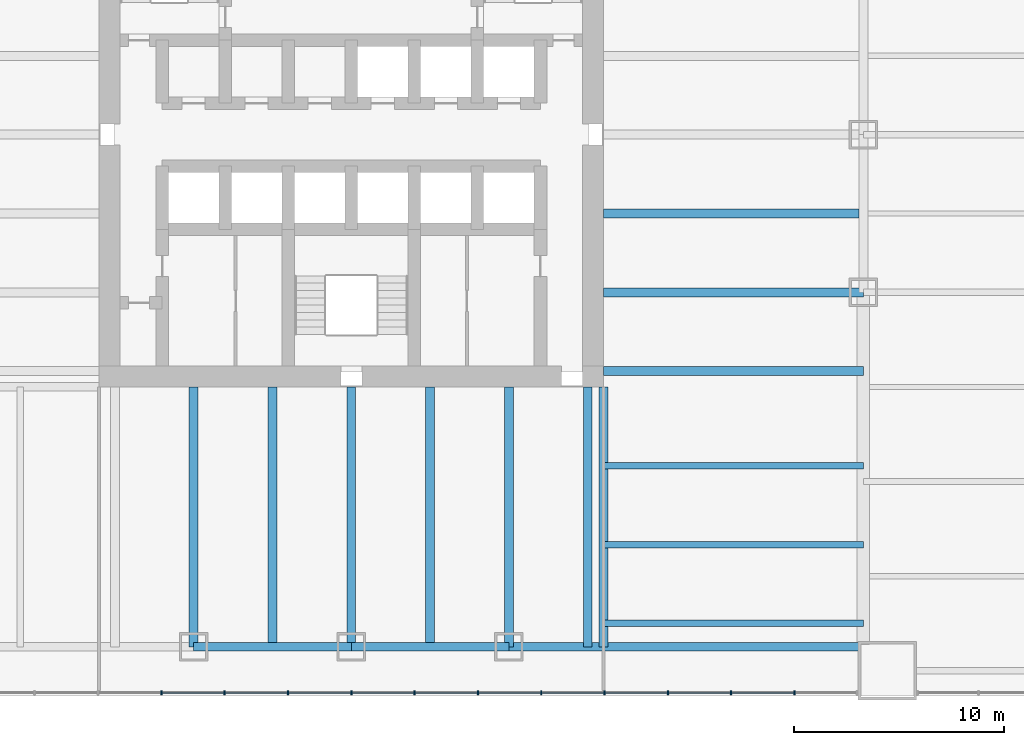
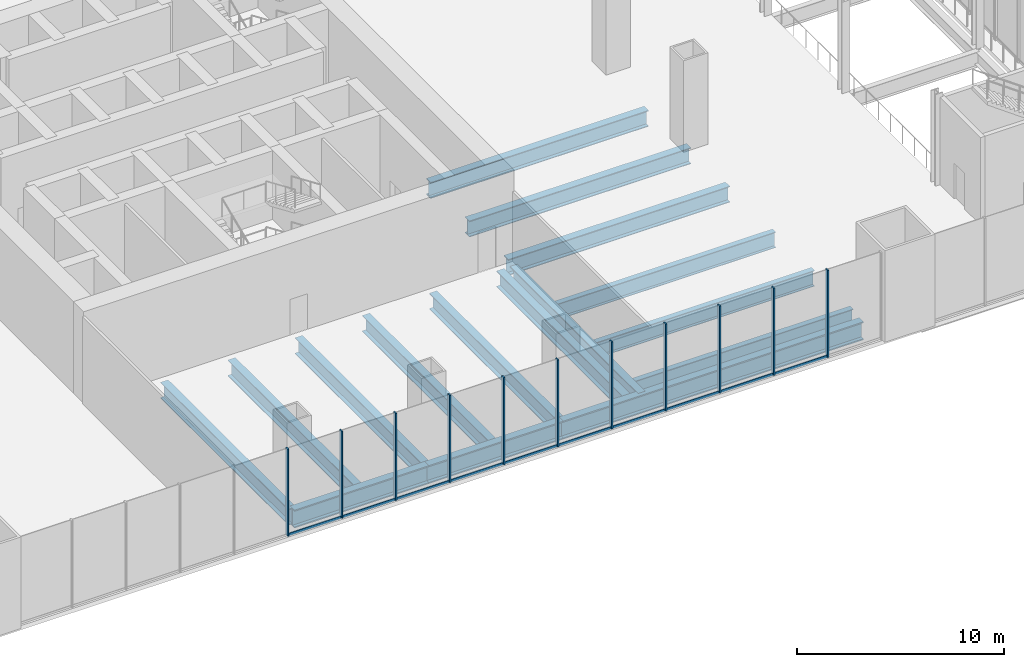
# One storey, part 4 of 16: 21 members, 16 beams, 1 element without a shape of its own.
"""IFC4 building model written with IfcOpenShell, lengths in metres."""

from ifc_helpers import new_model, si_unit, direction, frame, origin, origin_2d, place, context, subcontext, project, spatial, rectangle, i_section, extrude, material, material_profile, profile_set, type_object, element, aggregate, save


model = new_model("IFC4")

# Units and contexts
model_context = context("Model", 3, precision=1e-05, world=origin(), true_north=direction((0.0, 1.0)))
body_context = subcontext(model_context, "Body", "Model", "MODEL_VIEW")
ifc_project = project(units=[si_unit("LENGTHUNIT", "METRE"), si_unit("AREAUNIT", "SQUARE_METRE"), si_unit("VOLUMEUNIT", "CUBIC_METRE"), si_unit("PLANEANGLEUNIT", "RADIAN"), si_unit("MASSUNIT", "GRAM", prefix="KILO")], contexts=[model_context])

# Site, building, storey
site_placement = place(None, origin())
site = spatial("IfcSite", under=ifc_project, at=site_placement, CompositionType="ELEMENT")
building_placement = place(site_placement, origin())
building = spatial("IfcBuilding", under=site, at=building_placement, Name="Tarangal Relay Tower", CompositionType="ELEMENT")
storey_placement = place(building_placement, frame((0.0, 0.0, 12.60009765625)))
storey = spatial("IfcBuildingStorey", under=building, at=storey_placement, Name="L02", CompositionType="ELEMENT", Elevation=12.60009765625)

# Beams
ifc_material_1 = material(Name="Steel ASTM A992", Category="steel")
ifc_material_profile_1 = material_profile(ifc_material_1, i_section(OverallWidth=0.307373046875, OverallDepth=0.927001953125, WebThickness=0.019287109375, FlangeThickness=0.031982421875, at=origin_2d()), Name="W36X194")
ifc_profile_set_1 = profile_set([ifc_material_profile_1], Name="Steel ASTM A992")
beam_type_1 = type_object("IfcBeamType", Name="Corner beam W36X194", PredefinedType="JOIST", material=ifc_profile_set_1)
for number, where, z_axis, x_axis, name in (
    (1, (12.0, -15.75, -0.713623046875), (1.0, 0.0, 0.0), (0.0, 1.0, 0.0), "Corner beam CB10 E L02"),
    (2, (12.0, -19.5, -0.713623046875), (1.0, 0.0, 0.0), (0.0, 1.0, 0.0), "Corner beam CB10 E L02"),
    (3, (12.0, -23.25, -0.713623046875), (1.0, 0.0, 0.0), (0.0, 1.0, 0.0), "Corner beam CB10 E L02"),
):
    element("IfcBeam", number, at=place(storey_placement, frame(where, z_axis=z_axis, x_axis=x_axis)), inside=storey, type_object=beam_type_1, Name=name, PredefinedType="JOIST", context=body_context, shape_type="SweptSolid", body=[
        extrude(i_section(OverallWidth=0.307373046875, OverallDepth=0.927001953125, WebThickness=0.019287109375, FlangeThickness=0.031982421875, at=origin_2d()), origin(), (0.0, 0.0, 1.0), 12.364990234375),
    ])
ifc_material_profile_2 = material_profile(ifc_material_1, i_section(OverallWidth=0.408935546875, OverallDepth=1.04150390625, WebThickness=0.031005859375, FlangeThickness=0.055908203125, at=origin_2d()), Name="W40X397")
ifc_profile_set_2 = profile_set([ifc_material_profile_2], Name="Steel ASTM A992")
beam_type_2 = type_object("IfcBeamType", Name="Corner girder W40X397", PredefinedType="BEAM", material=ifc_profile_set_2)
beam_1_placement = place(storey_placement, frame((12.0, -12.0, -0.770751953125), z_axis=(0.0, -1.0, 0.0), x_axis=(1.0, 0.0, 0.0)))
element("IfcBeam", 4, at=beam_1_placement, inside=storey, type_object=beam_type_2, Name="Corner girder CG1 E L02", PredefinedType="BEAM", context=body_context, shape_type="SweptSolid", body=[
    extrude(i_section(OverallWidth=0.408935546875, OverallDepth=1.04150390625, WebThickness=0.031005859375, FlangeThickness=0.055908203125, at=origin_2d()), origin(), (0.0, 0.0, 1.0), 12.364990234375),
])
ifc_material_profile_3 = material_profile(ifc_material_1, i_section(OverallWidth=0.41650390625, OverallDepth=1.0693359375, WebThickness=0.0390625, FlangeThickness=0.070068359375, at=origin_2d()), Name="W40X503")
ifc_profile_set_3 = profile_set([ifc_material_profile_3], Name="Steel ASTM A992")
beam_type_3 = type_object("IfcBeamType", Name="Edge girder W40X503", PredefinedType="SPANDREL", material=ifc_profile_set_3)
beam_2_placement = place(storey_placement, frame((24.25, -24.364990234375, -0.78466796875), z_axis=(-1.0, 0.0, 0.0), x_axis=(0.0, -1.0, 0.0)))
element("IfcBeam", 5, at=beam_2_placement, inside=storey, type_object=beam_type_3, Name="Edge girder EG8 S L02", PredefinedType="SPANDREL", context=body_context, shape_type="SweptSolid", body=[
    extrude(i_section(OverallWidth=0.41650390625, OverallDepth=1.0693359375, WebThickness=0.0390625, FlangeThickness=0.070068359375, at=origin_2d()), origin(), (0.0, 0.0, 1.0), 16.75),
])
for number, where, z_axis, x_axis, name in (
    (6, (7.5, -24.364990234375, -0.78466796875), (-1.0, 0.0, 0.0), (0.0, -1.0, 0.0), "Edge girder EG8 S L02"),
    (7, (0.0, -24.364990234375, -0.78466796875), (-1.0, 0.0, 0.0), (0.0, -1.0, 0.0), "Edge girder EG8 S L02"),
):
    element("IfcBeam", number, at=place(storey_placement, frame(where, z_axis=z_axis, x_axis=x_axis)), inside=storey, type_object=beam_type_3, Name=name, PredefinedType="SPANDREL", context=body_context, shape_type="SweptSolid", body=[
        extrude(i_section(OverallWidth=0.41650390625, OverallDepth=1.0693359375, WebThickness=0.0390625, FlangeThickness=0.070068359375, at=origin_2d()), origin(), (0.0, 0.0, 1.0), 7.5),
    ])
ifc_material_profile_4 = material_profile(ifc_material_1, i_section(OverallWidth=0.42431640625, OverallDepth=0.947509765625, WebThickness=0.02392578125, FlangeThickness=0.042724609375, at=origin_2d()), Name="W36X302")
ifc_profile_set_4 = profile_set([ifc_material_profile_4], Name="Steel ASTM A992")
beam_type_4 = type_object("IfcBeamType", Name="Floor beam W36X302", PredefinedType="BEAM", material=ifc_profile_set_4)
beam_3_placement = place(storey_placement, frame((12.0, -3.75, -0.723876953125), z_axis=(1.0, 0.0, 0.0), x_axis=(0.0, 1.0, 0.0)))
element("IfcBeam", 8, at=beam_3_placement, inside=storey, type_object=beam_type_4, Name="Floor beam RB10 E L02", PredefinedType="BEAM", context=body_context, shape_type="SweptSolid", body=[
    extrude(i_section(OverallWidth=0.42431640625, OverallDepth=0.947509765625, WebThickness=0.02392578125, FlangeThickness=0.042724609375, at=origin_2d()), origin(), (0.0, 0.0, 1.0), 12.156982421875),
])
for number, where, z_axis, x_axis, name in (
    (9, (12.0, -7.5, -0.723876953125), (1.0, 0.0, 0.0), (0.0, 1.0, 0.0), "Floor beam RB10 E L02"),
    (10, (12.0, -11.25, -0.723876953125), (1.0, 0.0, 0.0), (0.0, 1.0, 0.0), "Floor beam RB10 E L02"),
    (11, (11.25, -12.0, -0.723876953125), (0.0, -1.0, 0.0), (1.0, 0.0, 0.0), "Floor beam RB10 S L02"),
    (12, (7.5, -12.0, -0.723876953125), (0.0, -1.0, 0.0), (1.0, 0.0, 0.0), "Floor beam RB10 S L02"),
    (13, (3.75, -12.0, -0.723876953125), (0.0, -1.0, 0.0), (1.0, 0.0, 0.0), "Floor beam RB10 S L02"),
    (14, (0.0, -12.0, -0.723876953125), (0.0, -1.0, 0.0), (1.0, 0.0, 0.0), "Floor beam RB10 S L02"),
    (15, (-3.75, -12.0, -0.723876953125), (0.0, -1.0, 0.0), (1.0, 0.0, 0.0), "Floor beam RB10 S L02"),
    (16, (-7.5, -12.0, -0.723876953125), (0.0, -1.0, 0.0), (1.0, 0.0, 0.0), "Floor beam RB10 S L02"),
):
    element("IfcBeam", number, at=place(storey_placement, frame(where, z_axis=z_axis, x_axis=x_axis)), inside=storey, type_object=beam_type_4, Name=name, PredefinedType="BEAM", context=body_context, shape_type="SweptSolid", body=[
        extrude(i_section(OverallWidth=0.42431640625, OverallDepth=0.947509765625, WebThickness=0.02392578125, FlangeThickness=0.042724609375, at=origin_2d()), origin(), (0.0, 0.0, 1.0), 12.364990234375),
    ])

# Curtain wall, members
ifc_material_2 = material(Name="Unitised curtain wall, dark glass and black aluminium", Category="aluminium")
curtain_wall_type = type_object("IfcCurtainWallType", Name="Curtain wall CW-P", PredefinedType="USERDEFINED", material=ifc_material_2)
curtain_wall_placement = place(storey_placement, origin())
curtain_wall = element("IfcCurtainWall", 17, at=curtain_wall_placement, inside=storey, type_object=curtain_wall_type, Name="Curtain wall CW-P Podium S facade L02", ObjectType="UNITISED CURTAIN WALL", PredefinedType="USERDEFINED")
ifc_material_3 = material(Name="Black anodised aluminium mullion", Category="aluminium")
ifc_material_profile_5 = material_profile(ifc_material_3, rectangle(XDim=0.199951171875, YDim=0.070068359375, at=origin_2d()), Name="CW-PM 70X200")
ifc_profile_set_5 = profile_set([ifc_material_profile_5], Name="Black anodised aluminium mullion")
member_type_1 = type_object("IfcMemberType", Name="Mullion CW-P 70 x 200", PredefinedType="MULLION", material=ifc_profile_set_5)
member_1_placement = place(storey_placement, frame((-9.03759765625, -26.550048828125, 0.0), z_axis=(0.0, 0.0, 1.0), x_axis=(0.0, 1.0, 0.0)))
member_1 = element("IfcMember", 18, at=member_1_placement, type_object=member_type_1, Name="CW-P mullion 6", PredefinedType="MULLION", context=body_context, shape_type="SweptSolid", body=[
    extrude(rectangle(XDim=0.199951171875, YDim=0.070068359375, at=origin_2d()), origin(), (0.0, 0.0, 1.0), 5.14990234375),
])
member_2_placement = place(storey_placement, frame((-6.02490234375, -26.550048828125, 0.0), z_axis=(0.0, 0.0, 1.0), x_axis=(0.0, 1.0, 0.0)))
member_2 = element("IfcMember", 19, at=member_2_placement, type_object=member_type_1, Name="CW-P mullion 7", PredefinedType="MULLION", context=body_context, shape_type="SweptSolid", body=[
    extrude(rectangle(XDim=0.199951171875, YDim=0.070068359375, at=origin_2d()), origin(), (0.0, 0.0, 1.0), 5.14990234375),
])
member_3_placement = place(storey_placement, frame((-3.012451171875, -26.550048828125, 0.0), z_axis=(0.0, 0.0, 1.0), x_axis=(0.0, 1.0, 0.0)))
member_3 = element("IfcMember", 20, at=member_3_placement, type_object=member_type_1, Name="CW-P mullion 8", PredefinedType="MULLION", context=body_context, shape_type="SweptSolid", body=[
    extrude(rectangle(XDim=0.199951171875, YDim=0.070068359375, at=origin_2d()), origin(), (0.0, 0.0, 1.0), 5.14990234375),
])
member_4_placement = place(storey_placement, frame((0.0, -26.550048828125, 0.0), z_axis=(0.0, 0.0, 1.0), x_axis=(0.0, 1.0, 0.0)))
member_4 = element("IfcMember", 21, at=member_4_placement, type_object=member_type_1, Name="CW-P mullion 9", PredefinedType="MULLION", context=body_context, shape_type="SweptSolid", body=[
    extrude(rectangle(XDim=0.199951171875, YDim=0.070068359375, at=origin_2d()), origin(), (0.0, 0.0, 1.0), 5.14990234375),
])
member_5_placement = place(storey_placement, frame((3.012451171875, -26.550048828125, 0.0), z_axis=(0.0, 0.0, 1.0), x_axis=(0.0, 1.0, 0.0)))
member_5 = element("IfcMember", 22, at=member_5_placement, type_object=member_type_1, Name="CW-P mullion 10", PredefinedType="MULLION", context=body_context, shape_type="SweptSolid", body=[
    extrude(rectangle(XDim=0.199951171875, YDim=0.070068359375, at=origin_2d()), origin(), (0.0, 0.0, 1.0), 5.14990234375),
])
member_6_placement = place(storey_placement, frame((6.02490234375, -26.550048828125, 0.0), z_axis=(0.0, 0.0, 1.0), x_axis=(0.0, 1.0, 0.0)))
member_6 = element("IfcMember", 23, at=member_6_placement, type_object=member_type_1, Name="CW-P mullion 11", PredefinedType="MULLION", context=body_context, shape_type="SweptSolid", body=[
    extrude(rectangle(XDim=0.199951171875, YDim=0.070068359375, at=origin_2d()), origin(), (0.0, 0.0, 1.0), 5.14990234375),
])
member_7_placement = place(storey_placement, frame((9.03759765625, -26.550048828125, 0.0), z_axis=(0.0, 0.0, 1.0), x_axis=(0.0, 1.0, 0.0)))
member_7 = element("IfcMember", 24, at=member_7_placement, type_object=member_type_1, Name="CW-P mullion 12", PredefinedType="MULLION", context=body_context, shape_type="SweptSolid", body=[
    extrude(rectangle(XDim=0.199951171875, YDim=0.070068359375, at=origin_2d()), origin(), (0.0, 0.0, 1.0), 5.14990234375),
])
member_8_placement = place(storey_placement, frame((12.050048828125, -26.550048828125, 0.0), z_axis=(0.0, 0.0, 1.0), x_axis=(0.0, 1.0, 0.0)))
member_8 = element("IfcMember", 25, at=member_8_placement, type_object=member_type_1, Name="CW-P mullion 13", PredefinedType="MULLION", context=body_context, shape_type="SweptSolid", body=[
    extrude(rectangle(XDim=0.199951171875, YDim=0.070068359375, at=origin_2d()), origin(), (0.0, 0.0, 1.0), 5.14990234375),
])
member_9_placement = place(storey_placement, frame((15.0625, -26.550048828125, 0.0), z_axis=(0.0, 0.0, 1.0), x_axis=(0.0, 1.0, 0.0)))
member_9 = element("IfcMember", 26, at=member_9_placement, type_object=member_type_1, Name="CW-P mullion 14", PredefinedType="MULLION", context=body_context, shape_type="SweptSolid", body=[
    extrude(rectangle(XDim=0.199951171875, YDim=0.070068359375, at=origin_2d()), origin(), (0.0, 0.0, 1.0), 5.14990234375),
])
member_10_placement = place(storey_placement, frame((18.074951171875, -26.550048828125, 0.0), z_axis=(0.0, 0.0, 1.0), x_axis=(0.0, 1.0, 0.0)))
member_10 = element("IfcMember", 27, at=member_10_placement, type_object=member_type_1, Name="CW-P mullion 15", PredefinedType="MULLION", context=body_context, shape_type="SweptSolid", body=[
    extrude(rectangle(XDim=0.199951171875, YDim=0.070068359375, at=origin_2d()), origin(), (0.0, 0.0, 1.0), 5.14990234375),
])
member_11_placement = place(storey_placement, frame((21.08740234375, -26.550048828125, 0.0), z_axis=(0.0, 0.0, 1.0), x_axis=(0.0, 1.0, 0.0)))
member_11 = element("IfcMember", 28, at=member_11_placement, type_object=member_type_1, Name="CW-P mullion 16", PredefinedType="MULLION", context=body_context, shape_type="SweptSolid", body=[
    extrude(rectangle(XDim=0.199951171875, YDim=0.070068359375, at=origin_2d()), origin(), (0.0, 0.0, 1.0), 5.14990234375),
])
ifc_material_4 = material(Name="Black anodised aluminium transom", Category="aluminium")
ifc_material_profile_6 = material_profile(ifc_material_4, rectangle(XDim=0.070068359375, YDim=0.159912109375, at=origin_2d()), Name="CW-PT 70X160")
ifc_profile_set_6 = profile_set([ifc_material_profile_6], Name="Black anodised aluminium transom")
member_type_2 = type_object("IfcMemberType", Name="Transom CW-P 70 x 160", PredefinedType="USERDEFINED", material=ifc_profile_set_6)
member_12_placement = place(storey_placement, frame((-9.00244140625, -26.550048828125, 0.034912109375), z_axis=(1.0, 0.0, 0.0), x_axis=(0.0, 1.0, 0.0)))
member_12 = element("IfcMember", 29, at=member_12_placement, type_object=member_type_2, Name="CW-P transom 6.1", ObjectType="TRANSOM", PredefinedType="USERDEFINED", context=body_context, shape_type="SweptSolid", body=[
    extrude(rectangle(XDim=0.070068359375, YDim=0.159912109375, at=origin_2d()), origin(), (0.0, 0.0, 1.0), 2.9423828125),
])
member_13_placement = place(storey_placement, frame((-5.989990234375, -26.550048828125, 0.034912109375), z_axis=(1.0, 0.0, 0.0), x_axis=(0.0, 1.0, 0.0)))
member_13 = element("IfcMember", 30, at=member_13_placement, type_object=member_type_2, Name="CW-P transom 7.1", ObjectType="TRANSOM", PredefinedType="USERDEFINED", context=body_context, shape_type="SweptSolid", body=[
    extrude(rectangle(XDim=0.070068359375, YDim=0.159912109375, at=origin_2d()), origin(), (0.0, 0.0, 1.0), 2.9423828125),
])
member_14_placement = place(storey_placement, frame((-2.9775390625, -26.550048828125, 0.034912109375), z_axis=(1.0, 0.0, 0.0), x_axis=(0.0, 1.0, 0.0)))
member_14 = element("IfcMember", 31, at=member_14_placement, type_object=member_type_2, Name="CW-P transom 8.1", ObjectType="TRANSOM", PredefinedType="USERDEFINED", context=body_context, shape_type="SweptSolid", body=[
    extrude(rectangle(XDim=0.070068359375, YDim=0.159912109375, at=origin_2d()), origin(), (0.0, 0.0, 1.0), 2.942626953125),
])
member_15_placement = place(storey_placement, frame((0.034912109375, -26.550048828125, 0.034912109375), z_axis=(1.0, 0.0, 0.0), x_axis=(0.0, 1.0, 0.0)))
member_15 = element("IfcMember", 32, at=member_15_placement, type_object=member_type_2, Name="CW-P transom 9.1", ObjectType="TRANSOM", PredefinedType="USERDEFINED", context=body_context, shape_type="SweptSolid", body=[
    extrude(rectangle(XDim=0.070068359375, YDim=0.159912109375, at=origin_2d()), origin(), (0.0, 0.0, 1.0), 2.942626953125),
])
member_16_placement = place(storey_placement, frame((3.047607421875, -26.550048828125, 0.034912109375), z_axis=(1.0, 0.0, 0.0), x_axis=(0.0, 1.0, 0.0)))
member_16 = element("IfcMember", 33, at=member_16_placement, type_object=member_type_2, Name="CW-P transom 10.1", ObjectType="TRANSOM", PredefinedType="USERDEFINED", context=body_context, shape_type="SweptSolid", body=[
    extrude(rectangle(XDim=0.070068359375, YDim=0.159912109375, at=origin_2d()), origin(), (0.0, 0.0, 1.0), 2.9423828125),
])
member_17_placement = place(storey_placement, frame((6.06005859375, -26.550048828125, 0.034912109375), z_axis=(1.0, 0.0, 0.0), x_axis=(0.0, 1.0, 0.0)))
member_17 = element("IfcMember", 34, at=member_17_placement, type_object=member_type_2, Name="CW-P transom 11.1", ObjectType="TRANSOM", PredefinedType="USERDEFINED", context=body_context, shape_type="SweptSolid", body=[
    extrude(rectangle(XDim=0.070068359375, YDim=0.159912109375, at=origin_2d()), origin(), (0.0, 0.0, 1.0), 2.9423828125),
])
member_18_placement = place(storey_placement, frame((9.072509765625, -26.550048828125, 0.034912109375), z_axis=(1.0, 0.0, 0.0), x_axis=(0.0, 1.0, 0.0)))
member_18 = element("IfcMember", 35, at=member_18_placement, type_object=member_type_2, Name="CW-P transom 12.1", ObjectType="TRANSOM", PredefinedType="USERDEFINED", context=body_context, shape_type="SweptSolid", body=[
    extrude(rectangle(XDim=0.070068359375, YDim=0.159912109375, at=origin_2d()), origin(), (0.0, 0.0, 1.0), 2.9423828125),
])
member_19_placement = place(storey_placement, frame((12.0849609375, -26.550048828125, 0.034912109375), z_axis=(1.0, 0.0, 0.0), x_axis=(0.0, 1.0, 0.0)))
member_19 = element("IfcMember", 36, at=member_19_placement, type_object=member_type_2, Name="CW-P transom 13.1", ObjectType="TRANSOM", PredefinedType="USERDEFINED", context=body_context, shape_type="SweptSolid", body=[
    extrude(rectangle(XDim=0.070068359375, YDim=0.159912109375, at=origin_2d()), origin(), (0.0, 0.0, 1.0), 2.942626953125),
])
member_20_placement = place(storey_placement, frame((15.097412109375, -26.550048828125, 0.034912109375), z_axis=(1.0, 0.0, 0.0), x_axis=(0.0, 1.0, 0.0)))
member_20 = element("IfcMember", 37, at=member_20_placement, type_object=member_type_2, Name="CW-P transom 14.1", ObjectType="TRANSOM", PredefinedType="USERDEFINED", context=body_context, shape_type="SweptSolid", body=[
    extrude(rectangle(XDim=0.070068359375, YDim=0.159912109375, at=origin_2d()), origin(), (0.0, 0.0, 1.0), 2.942626953125),
])
member_21_placement = place(storey_placement, frame((18.110107421875, -26.550048828125, 0.034912109375), z_axis=(1.0, 0.0, 0.0), x_axis=(0.0, 1.0, 0.0)))
member_21 = element("IfcMember", 38, at=member_21_placement, type_object=member_type_2, Name="CW-P transom 15.1", ObjectType="TRANSOM", PredefinedType="USERDEFINED", context=body_context, shape_type="SweptSolid", body=[
    extrude(rectangle(XDim=0.070068359375, YDim=0.159912109375, at=origin_2d()), origin(), (0.0, 0.0, 1.0), 2.9423828125),
])
aggregate(curtain_wall, [member_1, member_2, member_3, member_4, member_5, member_6, member_7, member_8, member_9, member_10, member_11, member_12, member_13, member_14, member_15, member_16, member_17, member_18, member_19, member_20, member_21])

save(model, "model.ifc")
